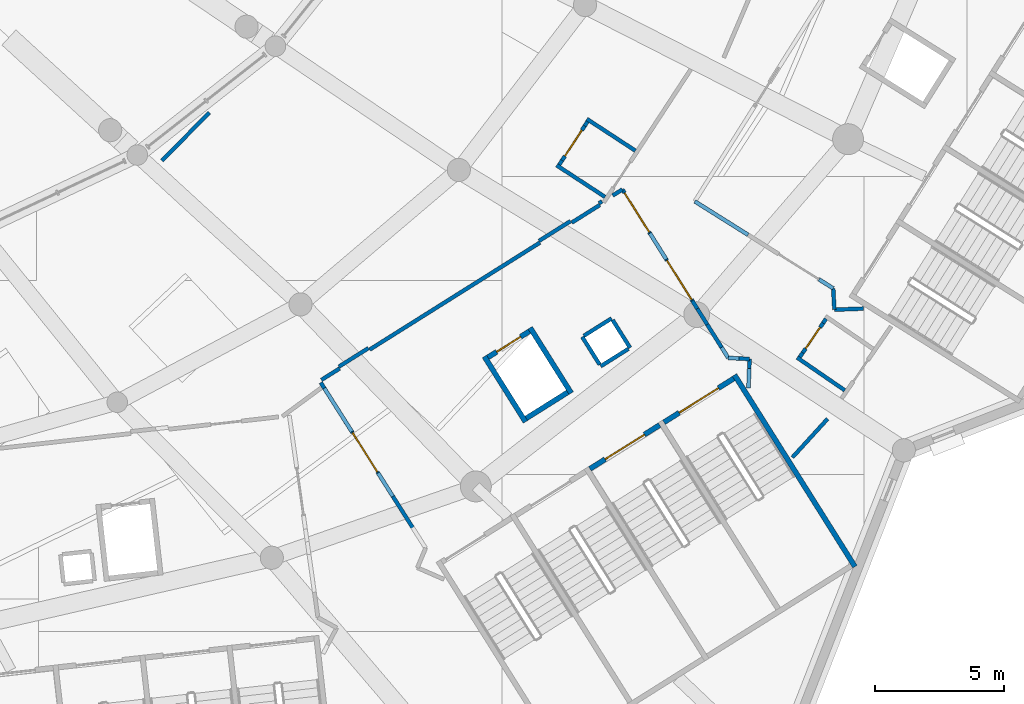
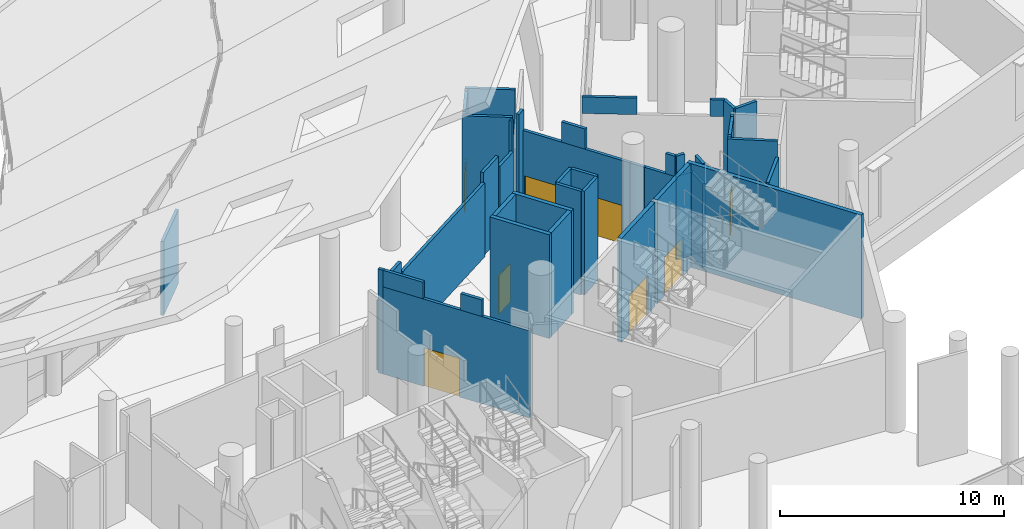
# One storey, part 151 of 249: 47 walls, 8 doors, 8 openings.
"""IFC4 building model written with IfcOpenShell, lengths in metres."""

import ifcopenshell
import ifcopenshell.guid

model = None  # the IFC model being written
_history = None  # IfcOwnerHistory: only IFC2X3 demands one
_inside = {}  # id of a spatial element -> (the spatial element, [elements in it])
_under = {}  # id of a project, library or spatial element -> (it, [spatial elements below it])
_declared = {}  # id of a project -> (the project, [libraries it declares])
_typed = {}  # id of a type object -> (the type object, [elements of that type])
_made_of = {}  # id of a material, layer set ... -> (it, [elements and type objects made of it])


def new_model(schema):
    """Start an empty IFC model of exactly this schema.

    Asked for "IFC4X3", IfcOpenShell would pick the latest addendum, in which some entities
    have other attributes; the version numbers below select the first issue.
    IFC2X3 requires an IfcOwnerHistory on every rooted entity: one is made here for all.
    """
    global model, _history
    if schema == "IFC4X3":
        model = ifcopenshell.file(schema_version=(4, 3, 0, 0))
    else:
        model = ifcopenshell.file(schema=schema)
    _inside.clear()
    _under.clear()
    _declared.clear()
    _typed.clear()
    _made_of.clear()
    _history = None
    if model.schema == "IFC2X3":
        org = make("IfcOrganization", Name="unknown")
        user = make(
            "IfcPersonAndOrganization",
            ThePerson=make("IfcPerson", FamilyName="unknown"),
            TheOrganization=org,
        )
        app = make(
            "IfcApplication",
            ApplicationDeveloper=org,
            Version="unknown",
            ApplicationFullName="unknown",
            ApplicationIdentifier="unknown",
        )
        _history = make(
            "IfcOwnerHistory",
            OwningUser=user,
            OwningApplication=app,
            ChangeAction="ADDED",
            CreationDate=0,
        )
    return model


def make(cls, **values):
    """One entity of the class cls with the attributes given. An attribute that is None is left unset."""
    return model.create_entity(
        cls, **{name: value for name, value in values.items() if value is not None}
    )


def rooted(cls, **values):
    """An entity with a GlobalId (a new one), such as an element, a storey or a relation."""
    return make(cls, GlobalId=ifcopenshell.guid.new(), OwnerHistory=_history, **values)


def si_unit(unit_type, name, prefix=None):
    """IfcSIUnit, for example si_unit("LENGTHUNIT", "METRE", prefix="MILLI")."""
    return make("IfcSIUnit", UnitType=unit_type, Prefix=prefix, Name=name)


def assignment(units):
    """IfcUnitAssignment: the units of a project."""
    return None if units is None else make("IfcUnitAssignment", Units=units)


def point(xyz):
    """IfcCartesianPoint."""
    return None if xyz is None else make("IfcCartesianPoint", Coordinates=xyz)


def direction(xyz):
    """IfcDirection."""
    return None if xyz is None else make("IfcDirection", DirectionRatios=xyz)


def frame(location, z_axis=None, x_axis=None):
    """IfcAxis2Placement3D, a coordinate frame: its origin and axes. An axis left out is left unset."""
    return make(
        "IfcAxis2Placement3D",
        Location=point(location),
        Axis=direction(z_axis),
        RefDirection=direction(x_axis),
    )


def frame_2d(location, x_axis=None):
    """IfcAxis2Placement2D, a coordinate frame in the plane: its origin and x axis."""
    return make(
        "IfcAxis2Placement2D", Location=point(location), RefDirection=direction(x_axis)
    )


def origin():
    """The frame at (0, 0, 0) with its axes left unset."""
    return frame((0.0, 0.0, 0.0))


def place(relative_to, where):
    """IfcLocalPlacement: puts the frame where relative to a parent placement (None: the world)."""
    return make(
        "IfcLocalPlacement", PlacementRelTo=relative_to, RelativePlacement=where
    )


def context(
    kind, dimensions, precision=None, world=None, true_north=None, identifier=None
):
    """IfcGeometricRepresentationContext, for example the 3D "Model" context."""
    return make(
        "IfcGeometricRepresentationContext",
        ContextIdentifier=identifier,
        ContextType=kind,
        CoordinateSpaceDimension=dimensions,
        Precision=precision,
        WorldCoordinateSystem=world,
        TrueNorth=true_north,
    )


def subcontext(parent, identifier, kind, view, scale=None):
    """IfcGeometricRepresentationSubContext, for example "Body" below "Model"."""
    return make(
        "IfcGeometricRepresentationSubContext",
        ContextIdentifier=identifier,
        ContextType=kind,
        ParentContext=parent,
        TargetScale=scale,
        TargetView=view,
    )


def project(units=None, contexts=None):
    """IfcProject with its units and contexts."""
    return rooted(
        "IfcProject",
        Name="project",
        RepresentationContexts=contexts,
        UnitsInContext=assignment(units),
    )


def spatial(cls, under=None, at=None, **own):
    """A site, building, storey or space (cls), placed at a placement, below another one or the project."""
    s = rooted(cls, ObjectPlacement=at, **own)
    if under is not None:
        _under.setdefault(under.id(), (under, []))[1].append(s)
    return s


def profile(cls, at=None, kind="AREA", **sizes):
    """A parametric profile (cls). Its sizes go by their IFC names, for example OverallWidth=200.0."""
    return make(cls, ProfileType=kind, Position=at, **sizes)


def rectangle(**sizes):
    """IfcRectangleProfileDef."""
    return profile("IfcRectangleProfileDef", **sizes)


def extrude(swept, where, along, depth):
    """IfcExtrudedAreaSolid: the profile swept, set in the frame where, extruded along a direction by depth."""
    return make(
        "IfcExtrudedAreaSolid",
        SweptArea=swept,
        Position=where,
        ExtrudedDirection=direction(along),
        Depth=depth,
    )


def shape(context_of_items, identifier, shape_type, items):
    """IfcShapeRepresentation: the items that make up one representation, for example the "Body"."""
    return make(
        "IfcShapeRepresentation",
        ContextOfItems=context_of_items,
        RepresentationIdentifier=identifier,
        RepresentationType=shape_type,
        Items=items,
    )


def material(Name=None, Category=None):
    """IfcMaterial."""
    return make("IfcMaterial", Name=Name, Category=Category)


def layer(
    of_material, thickness, ventilated=None, Name=None, Category=None, Priority=None
):
    """IfcMaterialLayer: one layer of a wall or slab, of a material (None: an air gap)."""
    return make(
        "IfcMaterialLayer",
        Material=of_material,
        LayerThickness=thickness,
        IsVentilated=ventilated,
        Name=Name,
        Category=Category,
        Priority=Priority,
    )


def layer_set(layers, Name=None):
    """IfcMaterialLayerSet."""
    return make("IfcMaterialLayerSet", MaterialLayers=layers, LayerSetName=Name)


def made_of(thing, what):
    """Note that an element or type object is made of a material, layer set ...; save() writes the relation."""
    if what is not None:
        _made_of.setdefault(what.id(), (what, []))[1].append(thing)
    return thing


def type_object(cls, material=None, **own):
    """A type object (cls), such as IfcWallType, which elements share."""
    return made_of(rooted(cls, **own), material)


def element(
    cls,
    number,
    at=None,
    inside=None,
    cuts=None,
    type_object=None,
    material=None,
    context=None,
    identifier="Body",
    shape_type=None,
    held_by="IfcProductDefinitionShape",
    body=None,
    shapes=None,
    **own,
):
    """One element of the class cls, such as IfcWall. Its Tag is "e" and its number.

    at: its placement. inside: the storey or other place that contains it. cuts: it is an
    opening in that element (IfcRelVoidsElement). A single representation is given by context,
    identifier, shape_type and body (its items); several are given by shapes. held_by: the class
    of the entity that holds the representations. save() writes the other relations.
    """
    e = rooted(cls, Tag="e%d" % number, ObjectPlacement=at, **own)
    if body is not None:
        shapes = [shape(context, identifier, shape_type, body)]
    if shapes is not None:
        e.Representation = make(held_by, Representations=shapes)
    if inside is not None:
        _inside.setdefault(inside.id(), (inside, []))[1].append(e)
    if cuts is not None:
        rooted(
            "IfcRelVoidsElement", RelatingBuildingElement=cuts, RelatedOpeningElement=e
        )
    if type_object is not None:
        _typed.setdefault(type_object.id(), (type_object, []))[1].append(e)
    return made_of(e, material)


def fill(opening, filler):
    """IfcRelFillsElement: the door or window that sits in an opening."""
    return rooted(
        "IfcRelFillsElement",
        RelatingOpeningElement=opening,
        RelatedBuildingElement=filler,
    )


def aggregate(whole, parts):
    """IfcRelAggregates: a whole, such as a stair, and the parts it consists of."""
    return rooted("IfcRelAggregates", RelatingObject=whole, RelatedObjects=parts)


def save(model, path):
    """Write the relations noted so far, then the file.

    IfcRelAggregates (storeys below a building ...), IfcRelContainedInSpatialStructure (elements
    in a storey), IfcRelDefinesByType, IfcRelAssociatesMaterial and IfcRelDeclares: one each for
    every whole, place, type object, material and project.
    """
    for whole, parts in _under.values():
        aggregate(whole, parts)
    for where, things in _inside.values():
        rooted(
            "IfcRelContainedInSpatialStructure",
            RelatedElements=things,
            RelatingStructure=where,
        )
    for kind, things in _typed.values():
        rooted("IfcRelDefinesByType", RelatedObjects=things, RelatingType=kind)
    for what, things in _made_of.values():
        rooted("IfcRelAssociatesMaterial", RelatedObjects=things, RelatingMaterial=what)
    for by, libraries in _declared.values():
        rooted("IfcRelDeclares", RelatingContext=by, RelatedDefinitions=libraries)
    model.write(path)


model = new_model("IFC4")

# Units and contexts
model_context = context("Model", 3, precision=1e-05, world=origin(), true_north=direction((0.0, 1.0)))
body_context = subcontext(model_context, "Body", "Model", "MODEL_VIEW")
ifc_project = project(units=[si_unit("LENGTHUNIT", "METRE"), si_unit("AREAUNIT", "SQUARE_METRE"), si_unit("VOLUMEUNIT", "CUBIC_METRE"), si_unit("PLANEANGLEUNIT", "RADIAN"), si_unit("MASSUNIT", "GRAM", prefix="KILO")], contexts=[model_context])

# Site, building, storey
site_placement = place(None, origin())
site = spatial("IfcSite", under=ifc_project, at=site_placement, CompositionType="ELEMENT")
building_placement = place(site_placement, origin())
building = spatial("IfcBuilding", under=site, at=building_placement, Name="Meseta Stadium", CompositionType="ELEMENT")
storey_placement = place(building_placement, frame((0.0, 0.0, 12.0)))
storey = spatial("IfcBuildingStorey", under=building, at=storey_placement, Name="L02", CompositionType="ELEMENT", Elevation=12.0)

# Wall
ifc_material_1 = material(Name="Concrete C40/50", Category="concrete")
ifc_layer_1 = layer(ifc_material_1, 0.199951171875)
ifc_layer_set_1 = layer_set([ifc_layer_1], Name="Core shaft wall 200")
wall_type_1 = type_object("IfcWallType", Name="Core shaft wall 200", PredefinedType="SHEAR", material=ifc_layer_set_1)
wall_1_placement = place(storey_placement, frame((78.4658203125, -88.8876953125, 0.0), z_axis=(0.0, 0.0, 1.0), x_axis=(-0.532032334759, 0.846724036963, 0.0)))
element("IfcWall", 1, at=wall_1_placement, inside=storey, type_object=wall_type_1, Name="Core 27 L02 stair wall B-side", PredefinedType="SHEAR", context=body_context, shape_type="SweptSolid", body=[
    extrude(rectangle(XDim=8.800048828125, YDim=0.199951171875, at=frame_2d((4.39990234375, 0.0))), origin(), (0.0, 0.0, 1.0), 5.64990234375),
])

# Wall, opening, door
wall_2_placement = place(storey_placement, frame((68.1640625, -85.0859375, 0.0), z_axis=(0.0, 0.0, 1.0), x_axis=(0.84670136309, 0.53206841829, 0.0)))
wall_2 = element("IfcWall", 2, at=wall_2_placement, inside=storey, type_object=wall_type_1, Name="Core 27 L02 stair B1 inner end wall", PredefinedType="SHEAR", context=body_context, shape_type="SweptSolid", body=[
    extrude(rectangle(XDim=3.199951171875, YDim=0.199951171875, at=frame_2d((1.60009765625, 0.0))), origin(), (0.0, 0.0, 1.0), 5.64990234375),
])
opening_1_placement = place(wall_2_placement, frame((0.699951171875, 0.0, 0.0)))
opening_1 = element("IfcOpeningElement", 3, at=opening_1_placement, cuts=wall_2, Name="Opening D1179", PredefinedType="OPENING", context=body_context, shape_type="SweptSolid", body=[
    extrude(rectangle(XDim=1.800048828125, YDim=2.10009765625, at=frame_2d((0.89990234375, 1.050048828125))), frame((0.0, 0.10986328125, 0.0), z_axis=(0.0, -1.0, 0.0), x_axis=(1.0, 0.0, 0.0)), (0.0, 0.0, 1.0), 0.219970703125),
])
ifc_material_2 = material(Name="Steel", Category="steel")
door_type_1 = type_object("IfcDoorType", Name="Stair door 1800x2100", OperationType="DOUBLE_DOOR_SINGLE_SWING", PredefinedType="DOOR", material=ifc_material_2)
door_1_placement = place(opening_1_placement, origin())
door_1 = element("IfcDoor", 4, at=door_1_placement, inside=storey, type_object=door_type_1, Name="Stair B1 door 27 L02", OperationType="DOUBLE_DOOR_SINGLE_SWING", OverallHeight=2.10009765625, OverallWidth=1.800048828125, PredefinedType="DOOR", context=body_context, shape_type="SweptSolid", body=[
    extrude(rectangle(XDim=1.800048828125, YDim=2.10009765625, at=frame_2d((0.89990234375, 1.050048828125))), frame((0.0, 0.02490234375, 0.0), z_axis=(0.0, -1.0, 0.0), x_axis=(1.0, 0.0, 0.0)), (0.0, 0.0, 1.0), 0.050048828125),
])
fill(opening_1, door_1)

wall_3_placement = place(storey_placement, frame((71.04296875, -83.27685546875, 0.0), z_axis=(0.0, 0.0, 1.0), x_axis=(0.846735733015, 0.532013720158, 0.0)))
wall_3 = element("IfcWall", 5, at=wall_3_placement, inside=storey, type_object=wall_type_1, Name="Core 27 L02 stair B2 inner end wall", PredefinedType="SHEAR", context=body_context, shape_type="SweptSolid", body=[
    extrude(rectangle(XDim=3.199951171875, YDim=0.199951171875, at=frame_2d((1.60009765625, 0.0))), origin(), (0.0, 0.0, 1.0), 5.64990234375),
])
opening_2_placement = place(wall_3_placement, frame((0.699951171875, 0.0, 0.0)))
opening_2 = element("IfcOpeningElement", 6, at=opening_2_placement, cuts=wall_3, Name="Opening D1184", PredefinedType="OPENING", context=body_context, shape_type="SweptSolid", body=[
    extrude(rectangle(XDim=1.800048828125, YDim=2.10009765625, at=frame_2d((0.89990234375, 1.050048828125))), frame((0.0, 0.10986328125, 0.0), z_axis=(0.0, -1.0, 0.0), x_axis=(1.0, 0.0, 0.0)), (0.0, 0.0, 1.0), 0.219970703125),
])
door_2_placement = place(opening_2_placement, origin())
door_2 = element("IfcDoor", 7, at=door_2_placement, inside=storey, type_object=door_type_1, Name="Stair B2 door 27 L02", OperationType="DOUBLE_DOOR_SINGLE_SWING", OverallHeight=2.10009765625, OverallWidth=1.800048828125, PredefinedType="DOOR", context=body_context, shape_type="SweptSolid", body=[
    extrude(rectangle(XDim=1.800048828125, YDim=2.10009765625, at=frame_2d((0.89990234375, 1.050048828125))), frame((0.0, 0.02490234375, 0.0), z_axis=(0.0, -1.0, 0.0), x_axis=(1.0, 0.0, 0.0)), (0.0, 0.0, 1.0), 0.050048828125),
])
fill(opening_2, door_2)

# Walls
wall_4_placement = place(storey_placement, frame((65.658935546875, -83.260498046875, 0.0), z_axis=(0.0, 0.0, 1.0), x_axis=(-0.532074873955, 0.846697306306, 0.0)))
element("IfcWall", 8, at=wall_4_placement, inside=storey, type_object=wall_type_1, Name="Core 27 L02 lift shaft wall left", PredefinedType="SHEAR", context=body_context, shape_type="SweptSolid", body=[
    extrude(rectangle(XDim=3.0, YDim=0.199951171875, at=frame_2d((1.5, 0.0))), origin(), (0.0, 0.0, 1.0), 5.64990234375),
])
wall_5_placement = place(storey_placement, frame((67.43701171875, -82.143310546875, 0.0), z_axis=(0.0, 0.0, 1.0), x_axis=(-0.532038212918, 0.84672034344, 0.0)))
element("IfcWall", 9, at=wall_5_placement, inside=storey, type_object=wall_type_1, Name="Core 27 L02 lift shaft wall right", PredefinedType="SHEAR", context=body_context, shape_type="SweptSolid", body=[
    extrude(rectangle(XDim=3.000244140625, YDim=0.199951171875, at=frame_2d((1.5, 0.0))), origin(), (0.0, 0.0, 1.0), 5.64990234375),
])
wall_6_placement = place(storey_placement, frame((65.6904296875, -83.122802734375, 0.0), z_axis=(0.0, 0.0, 1.0), x_axis=(0.846674592738, 0.532111016623, 0.0)))
element("IfcWall", 10, at=wall_6_placement, inside=storey, type_object=wall_type_1, Name="Core 27 L02 lift shaft back wall", PredefinedType="SHEAR", context=body_context, shape_type="SweptSolid", body=[
    extrude(rectangle(XDim=1.89990234375, YDim=0.199951171875, at=frame_2d((0.949951171875, 0.0))), origin(), (0.0, 0.0, 1.0), 5.64990234375),
])

# Wall, opening, door
wall_7_placement = place(storey_placement, frame((64.20068359375, -80.751708984375, 0.0), z_axis=(0.0, 0.0, 1.0), x_axis=(0.846768850524, 0.531961007765, 0.0)))
wall_7 = element("IfcWall", 11, at=wall_7_placement, inside=storey, type_object=wall_type_1, Name="Core 27 L02 lift shaft front wall", PredefinedType="SHEAR", context=body_context, shape_type="SweptSolid", body=[
    extrude(rectangle(XDim=1.900146484375, YDim=0.199951171875, at=frame_2d((0.9501953125, 0.0))), origin(), (0.0, 0.0, 1.0), 5.64990234375),
])
opening_3_placement = place(wall_7_placement, frame((0.39990234375, 0.0, 0.0)))
opening_3 = element("IfcOpeningElement", 12, at=opening_3_placement, cuts=wall_7, Name="Opening LD149", PredefinedType="OPENING", context=body_context, shape_type="SweptSolid", body=[
    extrude(rectangle(XDim=1.10009765625, YDim=2.10009765625, at=frame_2d((0.550048828125, 1.050048828125))), frame((0.0, 0.10986328125, 0.0), z_axis=(0.0, -1.0, 0.0), x_axis=(1.0, 0.0, 0.0)), (0.0, 0.0, 1.0), 0.219970703125),
])
ifc_material_3 = material(Name="Steel", Category="steel")
door_type_2 = type_object("IfcDoorType", Name="Lift landing door 1100x2100", OperationType="SLIDING_TO_LEFT", PredefinedType="DOOR", material=ifc_material_3)
door_3_placement = place(opening_3_placement, origin())
door_3 = element("IfcDoor", 13, at=door_3_placement, inside=storey, type_object=door_type_2, Name="Lift landing door LD149", OperationType="SLIDING_TO_LEFT", OverallHeight=2.10009765625, OverallWidth=1.10009765625, PredefinedType="DOOR", context=body_context, shape_type="SweptSolid", body=[
    extrude(rectangle(XDim=1.10009765625, YDim=2.10009765625, at=frame_2d((0.550048828125, 1.050048828125))), frame((0.0, 0.02490234375, 0.0), z_axis=(0.0, -1.0, 0.0), x_axis=(1.0, 0.0, 0.0)), (0.0, 0.0, 1.0), 0.050048828125),
])
fill(opening_3, door_3)

# Walls
ifc_material_4 = material(Name="Masonry blockwork", Category="masonry")
ifc_layer_2 = layer(ifc_material_4, 0.14990234375)
ifc_layer_set_2 = layer_set([ifc_layer_2], Name="Partition 150")
wall_type_2 = type_object("IfcWallType", Name="Partition 150", PredefinedType="PARTITIONING", material=ifc_layer_set_2)
wall_8_placement = place(storey_placement, frame((58.4365234375, -81.18505859375, 0.0), z_axis=(0.0, 0.0, 1.0), x_axis=(-0.846703986053, -0.532064244244, 0.0)))
element("IfcWall", 14, at=wall_8_placement, inside=storey, type_object=wall_type_2, Name="Partition L02 L02-cell25-0-0", PredefinedType="PARTITIONING", context=body_context, shape_type="SweptSolid", body=[
    extrude(rectangle(XDim=0.8388671875, YDim=0.14990234375, at=frame_2d((0.41943359375, 0.0))), origin(), (0.0, 0.0, 1.0), 3.800537109375),
])
wall_9_placement = place(storey_placement, frame((51.52880859375, -73.105712890625, 0.0), z_axis=(0.0, 0.0, 1.0), x_axis=(0.703086835656, 0.711104001907, 0.0)))
element("IfcWall", 15, at=wall_9_placement, inside=storey, type_object=wall_type_2, Name="Partition L02 L02-cell26-0-0", PredefinedType="PARTITIONING", context=body_context, shape_type="SweptSolid", body=[
    extrude(rectangle(XDim=2.618896484375, YDim=0.14990234375, at=frame_2d((1.3095703125, 0.0))), origin(), (0.0, 0.0, 1.0), 4.0263671875),
])
wall_10_placement = place(storey_placement, frame((68.547607421875, -74.83154296875, 0.0), z_axis=(0.0, 0.0, 1.0), x_axis=(-0.846736781525, -0.53201205138, 0.0)))
element("IfcWall", 16, at=wall_10_placement, inside=storey, type_object=wall_type_2, Name="Partition L02 L02-cell26-0-0", PredefinedType="PARTITIONING", context=body_context, shape_type="SweptSolid", body=[
    extrude(rectangle(XDim=1.285400390625, YDim=0.14990234375, at=frame_2d((0.642578125, 0.0))), origin(), (0.0, 0.0, 1.0), 4.0263671875),
])
wall_11_placement = place(storey_placement, frame((66.21875, -76.294921875, 0.0), z_axis=(0.0, 0.0, 1.0), x_axis=(-0.846710948696, -0.532053164035, 0.0)))
element("IfcWall", 17, at=wall_11_placement, inside=storey, type_object=wall_type_2, Name="Partition L02 L02-cell26-0-0", PredefinedType="PARTITIONING", context=body_context, shape_type="SweptSolid", body=[
    extrude(rectangle(XDim=7.81396484375, YDim=0.14990234375, at=frame_2d((3.906982421875, 0.0))), origin(), (0.0, 0.0, 1.0), 4.0263671875),
])
wall_12_placement = place(storey_placement, frame((76.033935546875, -84.6416015625, 0.0), z_axis=(0.0, 0.0, 1.0), x_axis=(0.674206513209, 0.738542874548, 0.0)))
element("IfcWall", 18, at=wall_12_placement, inside=storey, type_object=wall_type_2, Name="Partition L02 L02-cell26-2-0", PredefinedType="PARTITIONING", context=body_context, shape_type="SweptSolid", body=[
    extrude(rectangle(XDim=2.0263671875, YDim=0.14990234375, at=frame_2d((1.01318359375, 0.0))), origin(), (0.0, 0.0, 1.0), 5.64990234375),
])
for number, where, z_axis, x_axis, name in (
    (19, (68.58203125, -81.09912109375, 0.0), (0.0, 0.0, 1.0), (0.846683377265, 0.532097038765, 0.0), "Pressurisation shaft wall L02 core 27"),
    (20, (69.72509765625, -80.380859375, 0.0), (0.0, 0.0, 1.0), (-0.532097038765, 0.846683377265, 0.0), "Pressurisation shaft wall L02 core 27"),
):
    element("IfcWall", number, at=place(storey_placement, frame(where, z_axis=z_axis, x_axis=x_axis)), inside=storey, type_object=wall_type_2, Name=name, PredefinedType="PARTITIONING", context=body_context, shape_type="SweptSolid", body=[
        extrude(rectangle(XDim=1.275146484375, YDim=0.14990234375, at=frame_2d((0.6376953125, 0.0))), origin(), (0.0, 0.0, 1.0), 5.64990234375),
    ])
for number, where, z_axis, x_axis, name in (
    (21, (69.0068359375, -79.23779296875, 0.0), (0.0, 0.0, 1.0), (-0.846769635862, -0.531959757672, 0.0), "Pressurisation shaft wall L02 core 27"),
    (22, (67.86376953125, -79.9560546875, 0.0), (0.0, 0.0, 1.0), (0.531959757672, -0.846769635862, 0.0), "Pressurisation shaft wall L02 core 27"),
):
    element("IfcWall", number, at=place(storey_placement, frame(where, z_axis=z_axis, x_axis=x_axis)), inside=storey, type_object=wall_type_2, Name=name, PredefinedType="PARTITIONING", context=body_context, shape_type="SweptSolid", body=[
        extrude(rectangle(XDim=1.27490234375, YDim=0.14990234375, at=frame_2d((0.637451171875, 0.0))), origin(), (0.0, 0.0, 1.0), 5.64990234375),
    ])
wall_13_placement = place(storey_placement, frame((68.632568359375, -74.689697265625, 0.0), z_axis=(0.0, 0.0, 1.0), x_axis=(-0.846796817222, -0.531916488129, 0.0)))
element("IfcWall", 23, at=wall_13_placement, inside=storey, type_object=wall_type_2, Name="Stair vestibule wall L02 core 27", PredefinedType="PARTITIONING", context=body_context, shape_type="SweptSolid", body=[
    extrude(rectangle(XDim=0.13720703125, YDim=0.14990234375, at=frame_2d((0.068603515625, 0.0))), origin(), (0.0, 0.0, 1.0), 5.64990234375),
])
wall_14_placement = place(storey_placement, frame((67.410888671875, -75.457275390625, 0.0), z_axis=(0.0, 0.0, 1.0), x_axis=(-0.846666992422, -0.532123109762, 0.0)))
element("IfcWall", 24, at=wall_14_placement, inside=storey, type_object=wall_type_2, Name="Stair vestibule wall L02 core 27", PredefinedType="PARTITIONING", context=body_context, shape_type="SweptSolid", body=[
    extrude(rectangle(XDim=1.4453125, YDim=0.14990234375, at=frame_2d((0.72265625, 0.0))), origin(), (0.0, 0.0, 1.0), 4.550048828125),
])
wall_15_placement = place(storey_placement, frame((59.55419921875, -80.39404296875, 0.0), z_axis=(0.0, 0.0, 1.0), x_axis=(-0.846692118789, -0.532083128825, 0.0)))
element("IfcWall", 25, at=wall_15_placement, inside=storey, type_object=wall_type_2, Name="Stair vestibule wall L02 core 27", PredefinedType="PARTITIONING", context=body_context, shape_type="SweptSolid", body=[
    extrude(rectangle(XDim=1.357177734375, YDim=0.14990234375, at=frame_2d((0.6787109375, 0.0))), origin(), (0.0, 0.0, 1.0), 4.550048828125),
])

# Wall, opening, door
wall_16_placement = place(storey_placement, frame((57.840087890625, -81.951904296875, 0.0), z_axis=(0.0, 0.0, 1.0), x_axis=(0.535358417359, -0.844624984808, 0.0)))
wall_16 = element("IfcWall", 26, at=wall_16_placement, inside=storey, type_object=wall_type_2, Name="Stair vestibule wall L02 core 27", PredefinedType="PARTITIONING", context=body_context, shape_type="SweptSolid", body=[
    extrude(rectangle(XDim=7.355712890625, YDim=0.14990234375, at=frame_2d((3.677734375, 0.0))), origin(), (0.0, 0.0, 1.0), 4.75),
])
opening_4_placement = place(wall_16_placement, frame((2.050048828125, 0.0, 0.0)))
opening_4 = element("IfcOpeningElement", 27, at=opening_4_placement, cuts=wall_16, Name="Opening D1169", PredefinedType="OPENING", context=body_context, shape_type="SweptSolid", body=[
    extrude(rectangle(XDim=1.800048828125, YDim=2.10009765625, at=frame_2d((0.89990234375, 1.050048828125))), frame((0.0, 0.0849609375, 0.0), z_axis=(0.0, -1.0, 0.0), x_axis=(1.0, 0.0, 0.0)), (0.0, 0.0, 1.0), 0.169921875),
])
ifc_material_5 = material(Name="Steel", Category="steel")
door_type_3 = type_object("IfcDoorType", Name="Fire double door 1800x2100 EI2 60", OperationType="DOUBLE_DOOR_SINGLE_SWING", PredefinedType="DOOR", material=ifc_material_5)
door_4_placement = place(opening_4_placement, origin())
door_4 = element("IfcDoor", 28, at=door_4_placement, inside=storey, type_object=door_type_3, Name="Stair vestibule door L02 core 27", OperationType="DOUBLE_DOOR_SINGLE_SWING", OverallHeight=2.10009765625, OverallWidth=1.800048828125, PredefinedType="DOOR", context=body_context, shape_type="SweptSolid", body=[
    extrude(rectangle(XDim=1.800048828125, YDim=2.10009765625, at=frame_2d((0.89990234375, 1.050048828125))), frame((0.0, 0.02490234375, 0.0), z_axis=(0.0, -1.0, 0.0), x_axis=(1.0, 0.0, 0.0)), (0.0, 0.0, 1.0), 0.050048828125),
])
fill(opening_4, door_4)

# Walls
wall_17_placement = place(storey_placement, frame((57.840087890625, -81.951904296875, 4.75), z_axis=(0.0, 0.0, 1.0), x_axis=(0.535397626239, -0.844600131315, 0.0)))
element("IfcWall", 29, at=wall_17_placement, inside=storey, type_object=wall_type_2, Name="Stair vestibule wall L02 core 27", PredefinedType="PARTITIONING", context=body_context, shape_type="SweptSolid", body=[
    extrude(rectangle(XDim=2.0, YDim=0.14990234375, at=frame_2d((1.0, 0.0))), origin(), (0.0, 0.0, 1.0), 0.89990234375),
])
wall_18_placement = place(storey_placement, frame((74.3271484375, -81.945068359375, 0.0), z_axis=(0.0, 0.0, 1.0), x_axis=(0.035930866393, 0.999354277942, 0.0)))
element("IfcWall", 30, at=wall_18_placement, inside=storey, type_object=wall_type_2, Name="Stair vestibule wall L02 core 27", PredefinedType="PARTITIONING", context=body_context, shape_type="SweptSolid", body=[
    extrude(rectangle(XDim=1.1279296875, YDim=0.14990234375, at=frame_2d((0.56396484375, 0.0))), origin(), (0.0, 0.0, 1.0), 4.550048828125),
])
wall_19_placement = place(storey_placement, frame((74.3271484375, -81.945068359375, 4.550048828125), z_axis=(0.0, 0.0, 1.0), x_axis=(0.036038951541, 0.999350385987, 0.0)))
element("IfcWall", 31, at=wall_19_placement, inside=storey, type_object=wall_type_2, Name="Stair vestibule wall L02 core 27", PredefinedType="PARTITIONING", context=body_context, shape_type="SweptSolid", body=[
    extrude(rectangle(XDim=0.751953125, YDim=0.14990234375, at=frame_2d((0.3759765625, 0.0))), origin(), (0.0, 0.0, 1.0), 1.099853515625),
])
wall_20_placement = place(storey_placement, frame((74.36767578125, -80.81787109375, 0.0), z_axis=(0.0, 0.0, 1.0), x_axis=(-0.998642113307, 0.052095388758, 0.0)))
element("IfcWall", 32, at=wall_20_placement, inside=storey, type_object=wall_type_2, Name="Stair vestibule wall L02 core 27", PredefinedType="PARTITIONING", context=body_context, shape_type="SweptSolid", body=[
    extrude(rectangle(XDim=0.82958984375, YDim=0.14990234375, at=frame_2d((0.414794921875, 0.0))), origin(), (0.0, 0.0, 1.0), 4.550048828125),
])
wall_21_placement = place(storey_placement, frame((73.95361328125, -80.79638671875, 4.550048828125), z_axis=(0.0, 0.0, 1.0), x_axis=(-0.998627565725, 0.052373514054, 0.0)))
element("IfcWall", 33, at=wall_21_placement, inside=storey, type_object=wall_type_2, Name="Stair vestibule wall L02 core 27", PredefinedType="PARTITIONING", context=body_context, shape_type="SweptSolid", body=[
    extrude(rectangle(XDim=0.414794921875, YDim=0.14990234375, at=frame_2d((0.20751953125, 0.0))), origin(), (0.0, 0.0, 1.0), 1.099853515625),
])
wall_22_placement = place(storey_placement, frame((73.539306640625, -80.774658203125, 0.0), z_axis=(0.0, 0.0, 1.0), x_axis=(-0.532103006557, 0.846679626785, 0.0)))
element("IfcWall", 34, at=wall_22_placement, inside=storey, type_object=wall_type_2, Name="Stair vestibule wall L02 core 27", PredefinedType="PARTITIONING", context=body_context, shape_type="SweptSolid", body=[
    extrude(rectangle(XDim=1.531982421875, YDim=0.14990234375, at=frame_2d((0.76611328125, 0.0))), origin(), (0.0, 0.0, 1.0), 4.550048828125),
])

# Wall, openings, doors
wall_23_placement = place(storey_placement, frame((72.142822265625, -78.55224609375, 0.0), z_axis=(0.0, 0.0, 1.0), x_axis=(-0.532063867314, 0.846704222913, 0.0)))
wall_23 = element("IfcWall", 35, at=wall_23_placement, inside=storey, type_object=wall_type_2, Name="Stair vestibule wall L02 core 27", PredefinedType="PARTITIONING", context=body_context, shape_type="SweptSolid", body=[
    extrude(rectangle(XDim=5.10791015625, YDim=0.14990234375, at=frame_2d((2.553955078125, 0.0))), origin(), (0.0, 0.0, 1.0), 4.550048828125),
])
opening_5_placement = place(wall_23_placement, frame((3.14990234375, 0.0, 0.0)))
opening_5 = element("IfcOpeningElement", 36, at=opening_5_placement, cuts=wall_23, Name="Opening D1180", PredefinedType="OPENING", context=body_context, shape_type="SweptSolid", body=[
    extrude(rectangle(XDim=1.800048828125, YDim=2.10009765625, at=frame_2d((0.89990234375, 1.050048828125))), frame((0.0, 0.0849609375, 0.0), z_axis=(0.0, -1.0, 0.0), x_axis=(1.0, 0.0, 0.0)), (0.0, 0.0, 1.0), 0.169921875),
])
opening_6_placement = place(wall_23_placement, frame((0.050048828125, 0.0, 0.0)))
opening_6 = element("IfcOpeningElement", 37, at=opening_6_placement, cuts=wall_23, Name="Opening D1182", PredefinedType="OPENING", context=body_context, shape_type="SweptSolid", body=[
    extrude(rectangle(XDim=1.800048828125, YDim=2.10009765625, at=frame_2d((0.89990234375, 1.050048828125))), frame((0.0, 0.0849609375, 0.0), z_axis=(0.0, -1.0, 0.0), x_axis=(1.0, 0.0, 0.0)), (0.0, 0.0, 1.0), 0.169921875),
])
door_5_placement = place(opening_5_placement, origin())
door_5 = element("IfcDoor", 38, at=door_5_placement, inside=storey, type_object=door_type_3, Name="Stair vestibule door L02 core 27", OperationType="DOUBLE_DOOR_SINGLE_SWING", OverallHeight=2.10009765625, OverallWidth=1.800048828125, PredefinedType="DOOR", context=body_context, shape_type="SweptSolid", body=[
    extrude(rectangle(XDim=1.800048828125, YDim=2.10009765625, at=frame_2d((0.89990234375, 1.050048828125))), frame((0.0, 0.02490234375, 0.0), z_axis=(0.0, -1.0, 0.0), x_axis=(1.0, 0.0, 0.0)), (0.0, 0.0, 1.0), 0.050048828125),
])
fill(opening_5, door_5)
door_6_placement = place(opening_6_placement, origin())
door_6 = element("IfcDoor", 39, at=door_6_placement, inside=storey, type_object=door_type_3, Name="Stair vestibule door L02 core 27", OperationType="DOUBLE_DOOR_SINGLE_SWING", OverallHeight=2.10009765625, OverallWidth=1.800048828125, PredefinedType="DOOR", context=body_context, shape_type="SweptSolid", body=[
    extrude(rectangle(XDim=1.800048828125, YDim=2.10009765625, at=frame_2d((0.89990234375, 1.050048828125))), frame((0.0, 0.02490234375, 0.0), z_axis=(0.0, -1.0, 0.0), x_axis=(1.0, 0.0, 0.0)), (0.0, 0.0, 1.0), 0.050048828125),
])
fill(opening_6, door_6)

# Walls
wall_24_placement = place(storey_placement, frame((73.539306640625, -80.774658203125, 4.550048828125), z_axis=(0.0, 0.0, 1.0), x_axis=(-0.531995638284, 0.846747093793, 0.0)))
element("IfcWall", 40, at=wall_24_placement, inside=storey, type_object=wall_type_2, Name="Stair vestibule wall L02 core 27", PredefinedType="PARTITIONING", context=body_context, shape_type="SweptSolid", body=[
    extrude(rectangle(XDim=0.483154296875, YDim=0.14990234375, at=frame_2d((0.24169921875, 0.0))), origin(), (0.0, 0.0, 1.0), 1.099853515625),
])
wall_25_placement = place(storey_placement, frame((71.1318359375, -76.943603515625, 4.550048828125), z_axis=(0.0, 0.0, 1.0), x_axis=(-0.5320090412, 0.846738672839, 0.0)))
element("IfcWall", 41, at=wall_25_placement, inside=storey, type_object=wall_type_2, Name="Stair vestibule wall L02 core 27", PredefinedType="PARTITIONING", context=body_context, shape_type="SweptSolid", body=[
    extrude(rectangle(XDim=1.199951171875, YDim=0.14990234375, at=frame_2d((0.60009765625, 0.0))), origin(), (0.0, 0.0, 1.0), 1.099853515625),
])
wall_26_placement = place(storey_placement, frame((69.425048828125, -74.227294921875, 0.0), z_axis=(0.0, 0.0, 1.0), x_axis=(-0.846757169089, -0.531979601674, 0.0)))
element("IfcWall", 42, at=wall_26_placement, inside=storey, type_object=wall_type_2, Name="Stair vestibule wall L02 core 27", PredefinedType="PARTITIONING", context=body_context, shape_type="SweptSolid", body=[
    extrude(rectangle(XDim=0.44287109375, YDim=0.14990234375, at=frame_2d((0.221435546875, 0.0))), origin(), (0.0, 0.0, 1.0), 5.64990234375),
])
wall_27_placement = place(storey_placement, frame((57.70263671875, -81.735107421875, 0.0), z_axis=(0.0, 0.0, 1.0), x_axis=(0.535459302441, -0.844561031204, 0.0)))
element("IfcWall", 43, at=wall_27_placement, inside=storey, type_object=wall_type_2, Name="Stair vestibule wall L02 core 27", PredefinedType="PARTITIONING", context=body_context, shape_type="SweptSolid", body=[
    extrude(rectangle(XDim=0.256591796875, YDim=0.14990234375, at=frame_2d((0.12841796875, 0.0))), origin(), (0.0, 0.0, 1.0), 5.64990234375),
])
wall_28_placement = place(storey_placement, frame((72.72412109375, -79.4775390625, 0.0), z_axis=(0.0, 0.0, 1.0), x_axis=(-0.531986173683, 0.846753040154, 0.0)))
element("IfcWall", 44, at=wall_28_placement, inside=storey, type_object=wall_type_2, Name="Stair vestibule wall L02 core 27", PredefinedType="PARTITIONING", context=body_context, shape_type="SweptSolid", body=[
    extrude(rectangle(XDim=0.728271484375, YDim=0.14990234375, at=frame_2d((0.3642578125, 0.0))), origin(), (0.0, 0.0, 1.0), 4.550048828125),
])
wall_29_placement = place(storey_placement, frame((72.336669921875, -78.86083984375, 0.0), z_axis=(0.0, 0.0, 1.0), x_axis=(-0.532226455425, 0.84660203174, 0.0)))
element("IfcWall", 45, at=wall_29_placement, inside=storey, type_object=wall_type_2, Name="Stair vestibule wall L02 core 27", PredefinedType="PARTITIONING", context=body_context, shape_type="SweptSolid", body=[
    extrude(rectangle(XDim=0.3642578125, YDim=0.14990234375, at=frame_2d((0.18212890625, 0.0))), origin(), (0.0, 0.0, 1.0), 4.550048828125),
])
wall_30_placement = place(storey_placement, frame((72.240966796875, -74.6904296875, 4.75), z_axis=(0.0, 0.0, 1.0), x_axis=(0.84671626925, -0.532044696794, 0.0)))
element("IfcWall", 46, at=wall_30_placement, inside=storey, type_object=wall_type_2, Name="Stair vestibule wall L02 core 28", PredefinedType="PARTITIONING", context=body_context, shape_type="SweptSolid", body=[
    extrude(rectangle(XDim=2.44384765625, YDim=0.14990234375, at=frame_2d((1.221923828125, 0.0))), origin(), (0.0, 0.0, 1.0), 0.89990234375),
])
wall_31_placement = place(storey_placement, frame((77.0673828125, -77.72314453125, 4.75), z_axis=(0.0, 0.0, 1.0), x_axis=(0.846569271413, -0.532278563066, 0.0)))
element("IfcWall", 47, at=wall_31_placement, inside=storey, type_object=wall_type_2, Name="Stair vestibule wall L02 core 28", PredefinedType="PARTITIONING", context=body_context, shape_type="SweptSolid", body=[
    extrude(rectangle(XDim=0.654052734375, YDim=0.14990234375, at=frame_2d((0.3271484375, 0.0))), origin(), (0.0, 0.0, 1.0), 0.89990234375),
])
wall_32_placement = place(storey_placement, frame((77.62109375, -78.0712890625, 0.0), z_axis=(0.0, 0.0, 1.0), x_axis=(0.052666933407, -0.998612133977, 0.0)))
element("IfcWall", 48, at=wall_32_placement, inside=storey, type_object=wall_type_2, Name="Stair vestibule wall L02 core 28", PredefinedType="PARTITIONING", context=body_context, shape_type="SweptSolid", body=[
    extrude(rectangle(XDim=0.829833984375, YDim=0.14990234375, at=frame_2d((0.4150390625, 0.0))), origin(), (0.0, 0.0, 1.0), 5.64990234375),
])
wall_33_placement = place(storey_placement, frame((77.664794921875, -78.89990234375, 0.0), z_axis=(0.0, 0.0, 1.0), x_axis=(0.999353998407, 0.035938640324, 0.0)))
element("IfcWall", 49, at=wall_33_placement, inside=storey, type_object=wall_type_2, Name="Stair vestibule wall L02 core 28", PredefinedType="PARTITIONING", context=body_context, shape_type="SweptSolid", body=[
    extrude(rectangle(XDim=1.127685546875, YDim=0.14990234375, at=frame_2d((0.56396484375, 0.0))), origin(), (0.0, 0.0, 1.0), 5.64990234375),
])
for number, where, z_axis, x_axis, name in (
    (50, (69.928955078125, -72.719482421875, 0.0), (0.0, 0.0, 1.0), (-0.836925645674, 0.54731660272, 0.0), "Partition L02 L02-cell26-0-0 vestibule"),
    (51, (68.752197265625, -74.518798828125, 0.0), (0.0, 0.0, 1.0), (-0.836925645674, 0.54731660272, 0.0), "Partition L02 L02-cell26-0-0 vestibule"),
):
    element("IfcWall", number, at=place(storey_placement, frame(where, z_axis=z_axis, x_axis=x_axis)), inside=storey, type_object=wall_type_2, Name=name, PredefinedType="PARTITIONING", context=body_context, shape_type="SweptSolid", body=[
        extrude(rectangle(XDim=2.25, YDim=0.14990234375, at=frame_2d((1.125, 0.0))), origin(), (0.0, 0.0, 1.0), 5.64990234375),
    ])
wall_34_placement = place(storey_placement, frame((68.067626953125, -71.591796875, 0.0), z_axis=(0.0, 0.0, 1.0), x_axis=(-0.546788900939, -0.837270504562, 0.0)))
element("IfcWall", 52, at=wall_34_placement, inside=storey, type_object=wall_type_2, Name="Partition L02 L02-cell26-0-0 vestibule", PredefinedType="PARTITIONING", context=body_context, shape_type="SweptSolid", body=[
    extrude(rectangle(XDim=0.199951171875, YDim=0.14990234375, at=frame_2d((0.10009765625, 0.0))), origin(), (0.0, 0.0, 1.0), 5.64990234375),
])

# Wall, opening, door
wall_35_placement = place(storey_placement, frame((67.958251953125, -71.75927734375, 0.0), z_axis=(0.0, 0.0, 1.0), x_axis=(-0.547319249347, -0.836923914878, 0.0)))
wall_35 = element("IfcWall", 53, at=wall_35_placement, inside=storey, type_object=wall_type_2, Name="Partition L02 L02-cell26-0-0 vestibule", PredefinedType="PARTITIONING", context=body_context, shape_type="SweptSolid", body=[
    extrude(rectangle(XDim=1.60009765625, YDim=0.14990234375, at=frame_2d((0.800048828125, 0.0))), origin(), (0.0, 0.0, 1.0), 5.64990234375),
])
opening_7_placement = place(wall_35_placement, frame((0.199951171875, 0.0, 0.0)))
opening_7 = element("IfcOpeningElement", 54, at=opening_7_placement, cuts=wall_35, Name="Opening D1177", PredefinedType="OPENING", context=body_context, shape_type="SweptSolid", body=[
    extrude(rectangle(XDim=1.199951171875, YDim=2.10009765625, at=frame_2d((0.60009765625, 1.050048828125))), frame((0.0, 0.0849609375, 0.0), z_axis=(0.0, -1.0, 0.0), x_axis=(1.0, 0.0, 0.0)), (0.0, 0.0, 1.0), 0.169921875),
])
ifc_material_6 = material(Name="Steel", Category="steel")
door_type_4 = type_object("IfcDoorType", Name="Fire door 1200x2100 EI2 60", OperationType="NOTDEFINED", PredefinedType="DOOR", material=ifc_material_6)
door_7_placement = place(opening_7_placement, origin())
door_7 = element("IfcDoor", 55, at=door_7_placement, inside=storey, type_object=door_type_4, Name="Vestibule door L02 L02-cell26-0-0", OperationType="SINGLE_SWING_LEFT", OverallHeight=2.10009765625, OverallWidth=1.199951171875, PredefinedType="DOOR", context=body_context, shape_type="SweptSolid", body=[
    extrude(rectangle(XDim=1.199951171875, YDim=2.10009765625, at=frame_2d((0.60009765625, 1.050048828125))), frame((0.0, 0.02490234375, 0.0), z_axis=(0.0, -1.0, 0.0), x_axis=(1.0, 0.0, 0.0)), (0.0, 0.0, 1.0), 0.050048828125),
])
fill(opening_7, door_7)

# Walls
wall_36_placement = place(storey_placement, frame((67.08251953125, -73.098388671875, 0.0), z_axis=(0.0, 0.0, 1.0), x_axis=(-0.548202987106, -0.836345314405, 0.0)))
element("IfcWall", 56, at=wall_36_placement, inside=storey, type_object=wall_type_2, Name="Partition L02 L02-cell26-0-0 vestibule", PredefinedType="PARTITIONING", context=body_context, shape_type="SweptSolid", body=[
    extrude(rectangle(XDim=0.199951171875, YDim=0.14990234375, at=frame_2d((0.10009765625, 0.0))), origin(), (0.0, 0.0, 1.0), 5.64990234375),
])
wall_37_placement = place(storey_placement, frame((78.071044921875, -82.035400390625, 0.0), z_axis=(0.0, 0.0, 1.0), x_axis=(-0.824377350286, 0.566040620748, 0.0)))
element("IfcWall", 57, at=wall_37_placement, inside=storey, type_object=wall_type_2, Name="Partition L02 L02-cell26-2-0 vestibule", PredefinedType="PARTITIONING", context=body_context, shape_type="SweptSolid", body=[
    extrude(rectangle(XDim=2.250244140625, YDim=0.14990234375, at=frame_2d((1.125, 0.0))), origin(), (0.0, 0.0, 1.0), 5.64990234375),
])
wall_38_placement = place(storey_placement, frame((76.3203125, -80.742431640625, 0.0), z_axis=(0.0, 0.0, 1.0), x_axis=(0.566477008266, 0.824077544352, 0.0)))
element("IfcWall", 58, at=wall_38_placement, inside=storey, type_object=wall_type_2, Name="Partition L02 L02-cell26-2-0 vestibule", PredefinedType="PARTITIONING", context=body_context, shape_type="SweptSolid", body=[
    extrude(rectangle(XDim=0.199951171875, YDim=0.14990234375, at=frame_2d((0.10009765625, 0.0))), origin(), (0.0, 0.0, 1.0), 5.64990234375),
])

# Wall, opening, door
wall_39_placement = place(storey_placement, frame((76.43359375, -80.57763671875, 0.0), z_axis=(0.0, 0.0, 1.0), x_axis=(0.56587736417, 0.824489423049, 0.0)))
wall_39 = element("IfcWall", 59, at=wall_39_placement, inside=storey, type_object=wall_type_2, Name="Partition L02 L02-cell26-2-0 vestibule", PredefinedType="PARTITIONING", context=body_context, shape_type="SweptSolid", body=[
    extrude(rectangle(XDim=1.39990234375, YDim=0.14990234375, at=frame_2d((0.699951171875, 0.0))), origin(), (0.0, 0.0, 1.0), 5.64990234375),
])
opening_8_placement = place(wall_39_placement, frame((0.199951171875, 0.0, 0.0)))
opening_8 = element("IfcOpeningElement", 60, at=opening_8_placement, cuts=wall_39, Name="Opening D1193", PredefinedType="OPENING", context=body_context, shape_type="SweptSolid", body=[
    extrude(rectangle(XDim=1.0, YDim=2.10009765625, at=frame_2d((0.5, 1.050048828125))), frame((0.0, 0.0849609375, 0.0), z_axis=(0.0, -1.0, 0.0), x_axis=(1.0, 0.0, 0.0)), (0.0, 0.0, 1.0), 0.169921875),
])
ifc_material_7 = material(Name="Steel", Category="steel")
door_type_5 = type_object("IfcDoorType", Name="Fire door 1000x2100 EI2 60", OperationType="NOTDEFINED", PredefinedType="DOOR", material=ifc_material_7)
door_8_placement = place(opening_8_placement, origin())
door_8 = element("IfcDoor", 61, at=door_8_placement, inside=storey, type_object=door_type_5, Name="Vestibule door L02 L02-cell26-2-0", OperationType="SINGLE_SWING_RIGHT", OverallHeight=2.10009765625, OverallWidth=1.0, PredefinedType="DOOR", context=body_context, shape_type="SweptSolid", body=[
    extrude(rectangle(XDim=1.0, YDim=2.10009765625, at=frame_2d((0.5, 1.050048828125))), frame((0.0, 0.02490234375, 0.0), z_axis=(0.0, -1.0, 0.0), x_axis=(1.0, 0.0, 0.0)), (0.0, 0.0, 1.0), 0.050048828125),
])
fill(opening_8, door_8)

# Walls
wall_40_placement = place(storey_placement, frame((77.225830078125, -79.42333984375, 0.0), z_axis=(0.0, 0.0, 1.0), x_axis=(0.566477008266, 0.824077544352, 0.0)))
element("IfcWall", 62, at=wall_40_placement, inside=storey, type_object=wall_type_2, Name="Partition L02 L02-cell26-2-0 vestibule", PredefinedType="PARTITIONING", context=body_context, shape_type="SweptSolid", body=[
    extrude(rectangle(XDim=0.199951171875, YDim=0.14990234375, at=frame_2d((0.10009765625, 0.0))), origin(), (0.0, 0.0, 1.0), 5.64990234375),
])
wall_41_placement = place(storey_placement, frame((59.927978515625, -85.24609375, 4.75), z_axis=(0.0, 0.0, 1.0), x_axis=(0.535353245771, -0.844628262754, 0.0)))
element("IfcWall", 63, at=wall_41_placement, inside=storey, type_object=wall_type_2, Name="Stair vestibule wall L02 core 27", PredefinedType="PARTITIONING", context=body_context, shape_type="SweptSolid", body=[
    extrude(rectangle(XDim=1.079833984375, YDim=0.14990234375, at=frame_2d((0.5400390625, 0.0))), origin(), (0.0, 0.0, 1.0), 0.89990234375),
])

save(model, "model.ifc")
